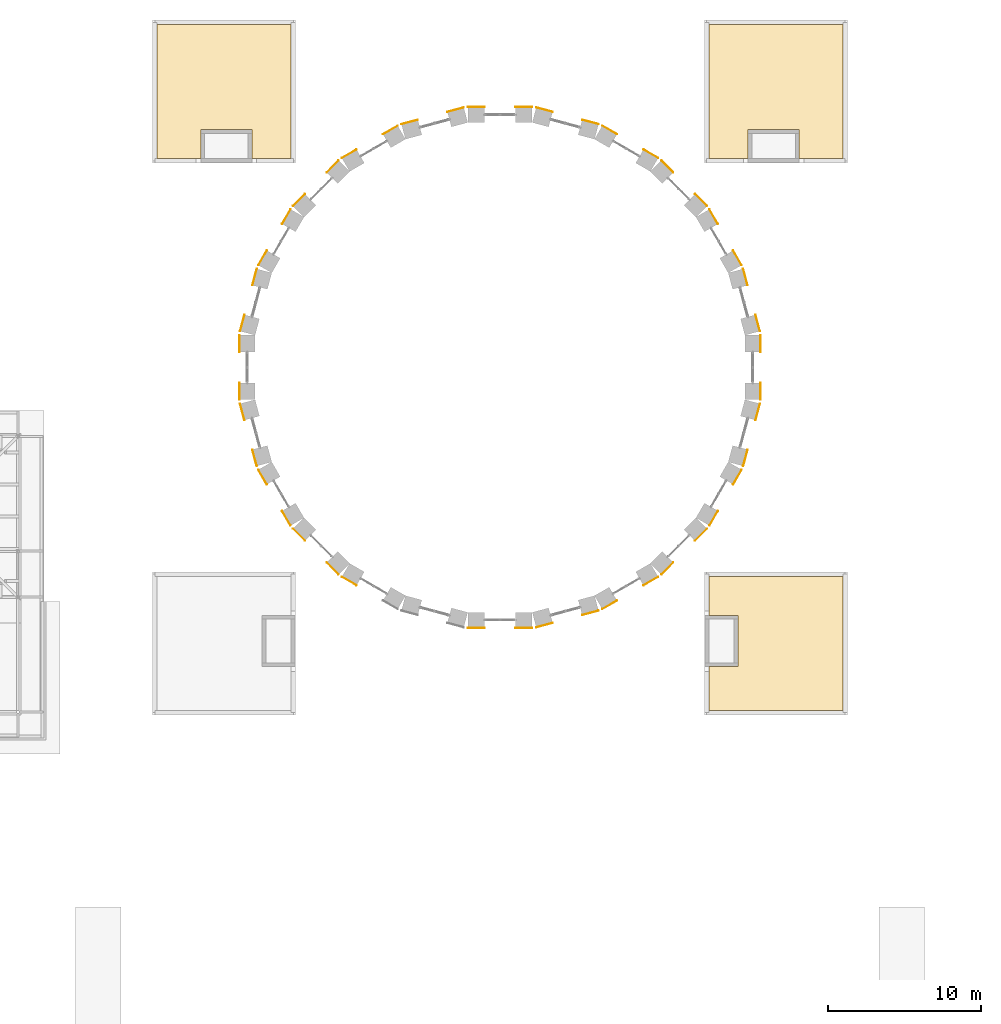
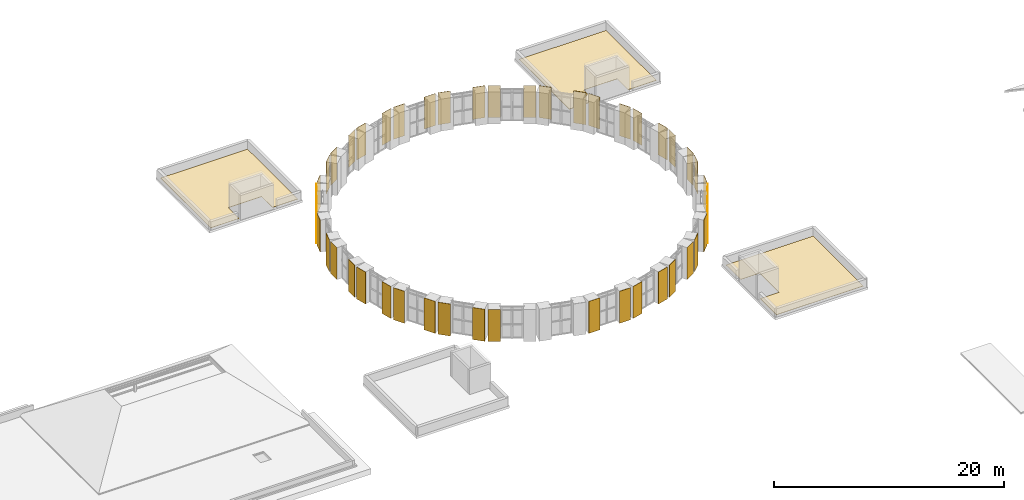
# One storey, part 40 of 42: 48 coverings.
"""IFC4 building model written with IfcOpenShell, lengths in metres."""

from ifc_helpers import new_model, si_unit, direction, frame, origin, origin_2d, place, context, subcontext, project, spatial, polyline, rectangle, outline, extrude, material, layer, layer_set, type_object, element, save


model = new_model("IFC4")

# Units and contexts
model_context = context("Model", 3, precision=1e-05, world=origin(), true_north=direction((0.0, 1.0)))
body_context = subcontext(model_context, "Body", "Model", "MODEL_VIEW")
ifc_project = project(units=[si_unit("LENGTHUNIT", "METRE"), si_unit("AREAUNIT", "SQUARE_METRE"), si_unit("VOLUMEUNIT", "CUBIC_METRE"), si_unit("PLANEANGLEUNIT", "RADIAN"), si_unit("MASSUNIT", "GRAM", prefix="KILO")], contexts=[model_context])

# Site, building, storey
site_placement = place(None, origin())
site = spatial("IfcSite", under=ifc_project, at=site_placement, CompositionType="ELEMENT")
building_placement = place(site_placement, origin())
building = spatial("IfcBuilding", under=site, at=building_placement, Name="Golden Quay Civic Hall", CompositionType="ELEMENT")
storey_placement = place(building_placement, frame((0.0, 0.0, 22.800048828125)))
storey = spatial("IfcBuildingStorey", under=building, at=storey_placement, Name="L05", CompositionType="ELEMENT", Elevation=22.800048828125)

# Coverings
ifc_material_1 = material(Name="Ceramic tile")
ifc_layer_1 = layer(ifc_material_1, 0.030029296875)
ifc_layer_set_1 = layer_set([ifc_layer_1], Name="Ceramic tile cladding, green glaze")
covering_type_1 = type_object("IfcCoveringType", Name="Ceramic tile cladding, green glaze", PredefinedType="CLADDING", material=ifc_layer_set_1)
for number, where, z_axis, x_axis, name in (
    (1, (102.337158203125, 88.403564453125, 0.300048828125), (0.0, 0.0, 1.0), (-0.258819045103, 0.965925826289, 0.0), "Drum cladding 1.1"),
    (2, (101.533203125, 91.404052734375, 0.300048828125), (0.0, 0.0, 1.0), (-0.258819045103, 0.965925826289, 0.0), "Drum cladding 1.2"),
    (3, (101.011962890625, 92.662353515625, 0.300048828125), (0.0, 0.0, 1.0), (-0.5, 0.866025403784, 0.0), "Drum cladding 2.1"),
    (4, (99.458740234375, 95.3525390625, 0.300048828125), (0.0, 0.0, 1.0), (-0.5, 0.866025403784, 0.0), "Drum cladding 2.2"),
    (5, (98.629638671875, 96.43310546875, 0.300048828125), (0.0, 0.0, 1.0), (-0.707106781187, 0.707106781187, 0.0), "Drum cladding 3.1"),
    (6, (96.43310546875, 98.629638671875, 0.300048828125), (0.0, 0.0, 1.0), (-0.707106781187, 0.707106781187, 0.0), "Drum cladding 3.2"),
    (7, (95.3525390625, 99.458740234375, 0.300048828125), (0.0, 0.0, 1.0), (-0.866025403784, 0.5, 0.0), "Drum cladding 4.1"),
    (8, (92.662353515625, 101.011962890625, 0.300048828125), (0.0, 0.0, 1.0), (-0.866025403784, 0.5, 0.0), "Drum cladding 4.2"),
    (9, (91.404052734375, 101.533203125, 0.300048828125), (0.0, 0.0, 1.0), (-0.965925826289, 0.258819045103, 0.0), "Drum cladding 5.1"),
    (10, (88.403564453125, 102.337158203125, 0.300048828125), (0.0, 0.0, 1.0), (-0.965925826289, 0.258819045103, 0.0), "Drum cladding 5.2"),
    (11, (87.05322265625, 102.514892578125, 0.300048828125), (0.0, 0.0, 1.0), (-1.0, 0.0, 0.0), "Drum cladding 6.1"),
    (12, (83.94677734375, 102.514892578125, 0.300048828125), (0.0, 0.0, 1.0), (-1.0, 0.0, 0.0), "Drum cladding 6.2"),
    (13, (82.596435546875, 102.337158203125, 0.300048828125), (0.0, 0.0, 1.0), (-0.965925826289, -0.258819045103, 0.0), "Drum cladding 7.1"),
    (14, (79.595947265625, 101.533203125, 0.300048828125), (0.0, 0.0, 1.0), (-0.965925826289, -0.258819045103, 0.0), "Drum cladding 7.2"),
    (15, (78.337646484375, 101.011962890625, 0.300048828125), (0.0, 0.0, 1.0), (-0.866025403784, -0.5, 0.0), "Drum cladding 8.1"),
    (16, (75.6474609375, 99.458740234375, 0.300048828125), (0.0, 0.0, 1.0), (-0.866025403784, -0.5, 0.0), "Drum cladding 8.2"),
    (17, (74.56689453125, 98.629638671875, 0.300048828125), (0.0, 0.0, 1.0), (-0.707106781187, -0.707106781187, 0.0), "Drum cladding 9.1"),
    (18, (72.370361328125, 96.43310546875, 0.300048828125), (0.0, 0.0, 1.0), (-0.707106781187, -0.707106781187, 0.0), "Drum cladding 9.2"),
    (19, (71.541259765625, 95.3525390625, 0.300048828125), (0.0, 0.0, 1.0), (-0.5, -0.866025403784, 0.0), "Drum cladding 10.1"),
    (20, (69.988037109375, 92.662353515625, 0.300048828125), (0.0, 0.0, 1.0), (-0.5, -0.866025403784, 0.0), "Drum cladding 10.2"),
    (21, (69.466796875, 91.404052734375, 0.300048828125), (0.0, 0.0, 1.0), (-0.258819045103, -0.965925826289, 0.0), "Drum cladding 11.1"),
    (22, (68.662841796875, 88.403564453125, 0.300048828125), (0.0, 0.0, 1.0), (-0.258819045103, -0.965925826289, 0.0), "Drum cladding 11.2"),
    (23, (68.485107421875, 87.05322265625, 0.300048828125), (0.0, 0.0, 1.0), (0.0, -1.0, 0.0), "Drum cladding 12.1"),
    (24, (68.485107421875, 83.94677734375, 0.300048828125), (0.0, 0.0, 1.0), (0.0, -1.0, 0.0), "Drum cladding 12.2"),
    (25, (68.662841796875, 82.596435546875, 0.300048828125), (0.0, 0.0, 1.0), (0.258819045103, -0.965925826289, 0.0), "Drum cladding 13.1"),
    (26, (69.466796875, 79.595947265625, 0.300048828125), (0.0, 0.0, 1.0), (0.258819045103, -0.965925826289, 0.0), "Drum cladding 13.2"),
    (27, (69.988037109375, 78.337646484375, 0.300048828125), (0.0, 0.0, 1.0), (0.5, -0.866025403784, 0.0), "Drum cladding 14.1"),
    (28, (71.541259765625, 75.6474609375, 0.300048828125), (0.0, 0.0, 1.0), (0.5, -0.866025403784, 0.0), "Drum cladding 14.2"),
    (29, (72.370361328125, 74.56689453125, 0.300048828125), (0.0, 0.0, 1.0), (0.707106781187, -0.707106781187, 0.0), "Drum cladding 15.1"),
    (30, (74.56689453125, 72.370361328125, 0.300048828125), (0.0, 0.0, 1.0), (0.707106781187, -0.707106781187, 0.0), "Drum cladding 15.2"),
    (31, (75.6474609375, 71.541259765625, 0.300048828125), (0.0, 0.0, 1.0), (0.866025403784, -0.5, 0.0), "Drum cladding 16.1"),
    (32, (83.94677734375, 68.485107421875, 0.300048828125), (0.0, 0.0, 1.0), (1.0, 0.0, 0.0), "Drum cladding 18.1"),
    (33, (87.05322265625, 68.485107421875, 0.300048828125), (0.0, 0.0, 1.0), (1.0, 0.0, 0.0), "Drum cladding 18.2"),
    (34, (88.403564453125, 68.662841796875, 0.300048828125), (0.0, 0.0, 1.0), (0.965925826289, 0.258819045103, 0.0), "Drum cladding 19.1"),
    (35, (91.404052734375, 69.466796875, 0.300048828125), (0.0, 0.0, 1.0), (0.965925826289, 0.258819045103, 0.0), "Drum cladding 19.2"),
    (36, (92.662353515625, 69.988037109375, 0.300048828125), (0.0, 0.0, 1.0), (0.866025403784, 0.5, 0.0), "Drum cladding 20.1"),
    (37, (95.3525390625, 71.541259765625, 0.300048828125), (0.0, 0.0, 1.0), (0.866025403784, 0.5, 0.0), "Drum cladding 20.2"),
    (38, (96.43310546875, 72.370361328125, 0.300048828125), (0.0, 0.0, 1.0), (0.707106781187, 0.707106781187, 0.0), "Drum cladding 21.1"),
    (39, (98.629638671875, 74.56689453125, 0.300048828125), (0.0, 0.0, 1.0), (0.707106781187, 0.707106781187, 0.0), "Drum cladding 21.2"),
    (40, (99.458740234375, 75.6474609375, 0.300048828125), (0.0, 0.0, 1.0), (0.5, 0.866025403784, 0.0), "Drum cladding 22.1"),
    (41, (101.011962890625, 78.337646484375, 0.300048828125), (0.0, 0.0, 1.0), (0.5, 0.866025403784, 0.0), "Drum cladding 22.2"),
    (42, (101.533203125, 79.595947265625, 0.300048828125), (0.0, 0.0, 1.0), (0.258819045103, 0.965925826289, 0.0), "Drum cladding 23.1"),
    (43, (102.337158203125, 82.596435546875, 0.300048828125), (0.0, 0.0, 1.0), (0.258819045103, 0.965925826289, 0.0), "Drum cladding 23.2"),
    (44, (102.514892578125, 83.94677734375, 0.300048828125), (0.0, 0.0, 1.0), (0.0, 1.0, 0.0), "Drum cladding 24.1"),
    (45, (102.514892578125, 87.05322265625, 0.300048828125), (0.0, 0.0, 1.0), (0.0, 1.0, 0.0), "Drum cladding 24.2"),
):
    element("IfcCovering", number, at=place(storey_placement, frame(where, z_axis=z_axis, x_axis=x_axis)), inside=storey, type_object=covering_type_1, Name=name, PredefinedType="CLADDING", context=body_context, shape_type="SweptSolid", body=[
        extrude(rectangle(XDim=1.1064453125, YDim=0.030029296875, at=origin_2d()), origin(), (0.0, 0.0, 1.0), 3.39990234375),
    ])
ifc_material_2 = material(Name="Ceramic tile")
ifc_layer_2 = layer(ifc_material_2, 0.030029296875)
ifc_layer_set_2 = layer_set([ifc_layer_2], Name="Ceramic tile roofing, green glaze")
covering_type_2 = type_object("IfcCoveringType", Name="Ceramic tile roofing, green glaze", PredefinedType="ROOFING", material=ifc_layer_set_2)
covering_1_placement = place(storey_placement, origin())
element("IfcCovering", 46, at=covering_1_placement, inside=storey, type_object=covering_type_2, Name="Core roof tile covering SE", PredefinedType="ROOFING", context=body_context, shape_type="SweptSolid", body=[
    extrude(outline(polyline([(99.14990234375, 71.85009765625), (107.89990234375, 71.85009765625), (107.89990234375, 63.10009765625), (99.14990234375, 63.10009765625), (99.14990234375, 65.949951171875), (101.050048828125, 65.949951171875), (101.050048828125, 69.300048828125), (99.14990234375, 69.300048828125), (99.14990234375, 71.85009765625)])), origin(), (0.0, 0.0, 1.0), 0.030029296875),
])
covering_2_placement = place(storey_placement, origin())
element("IfcCovering", 47, at=covering_2_placement, inside=storey, type_object=covering_type_2, Name="Core roof tile covering NW", PredefinedType="ROOFING", context=body_context, shape_type="SweptSolid", body=[
    extrude(outline(polyline([(63.10009765625, 99.14990234375), (63.10009765625, 107.89990234375), (71.85009765625, 107.89990234375), (71.85009765625, 99.14990234375), (69.300048828125, 99.14990234375), (69.300048828125, 101.050048828125), (65.949951171875, 101.050048828125), (65.949951171875, 99.14990234375), (63.10009765625, 99.14990234375)])), origin(), (0.0, 0.0, 1.0), 0.030029296875),
])
covering_3_placement = place(storey_placement, origin())
element("IfcCovering", 48, at=covering_3_placement, inside=storey, type_object=covering_type_2, Name="Core roof tile covering NE", PredefinedType="ROOFING", context=body_context, shape_type="SweptSolid", body=[
    extrude(outline(polyline([(99.14990234375, 99.14990234375), (99.14990234375, 107.89990234375), (107.89990234375, 107.89990234375), (107.89990234375, 99.14990234375), (105.050048828125, 99.14990234375), (105.050048828125, 101.050048828125), (101.699951171875, 101.050048828125), (101.699951171875, 99.14990234375), (99.14990234375, 99.14990234375)])), origin(), (0.0, 0.0, 1.0), 0.030029296875),
])

save(model, "model.ifc")
